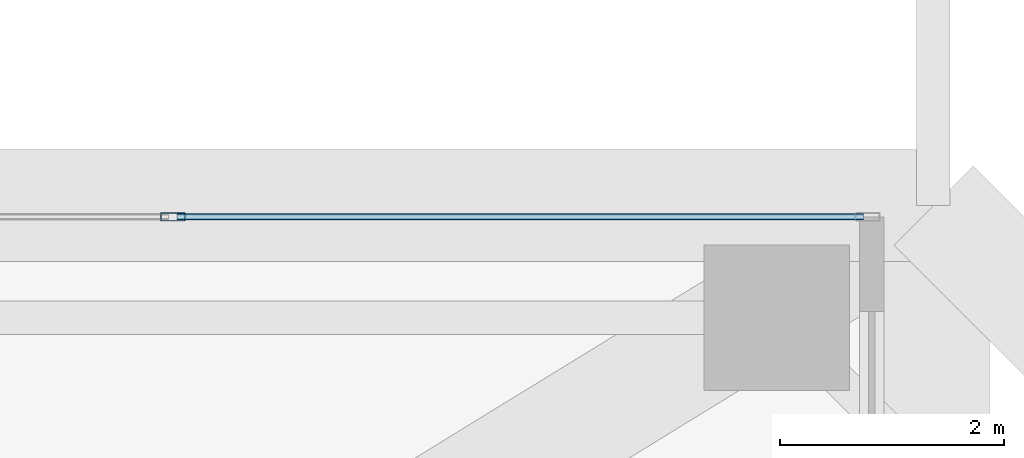
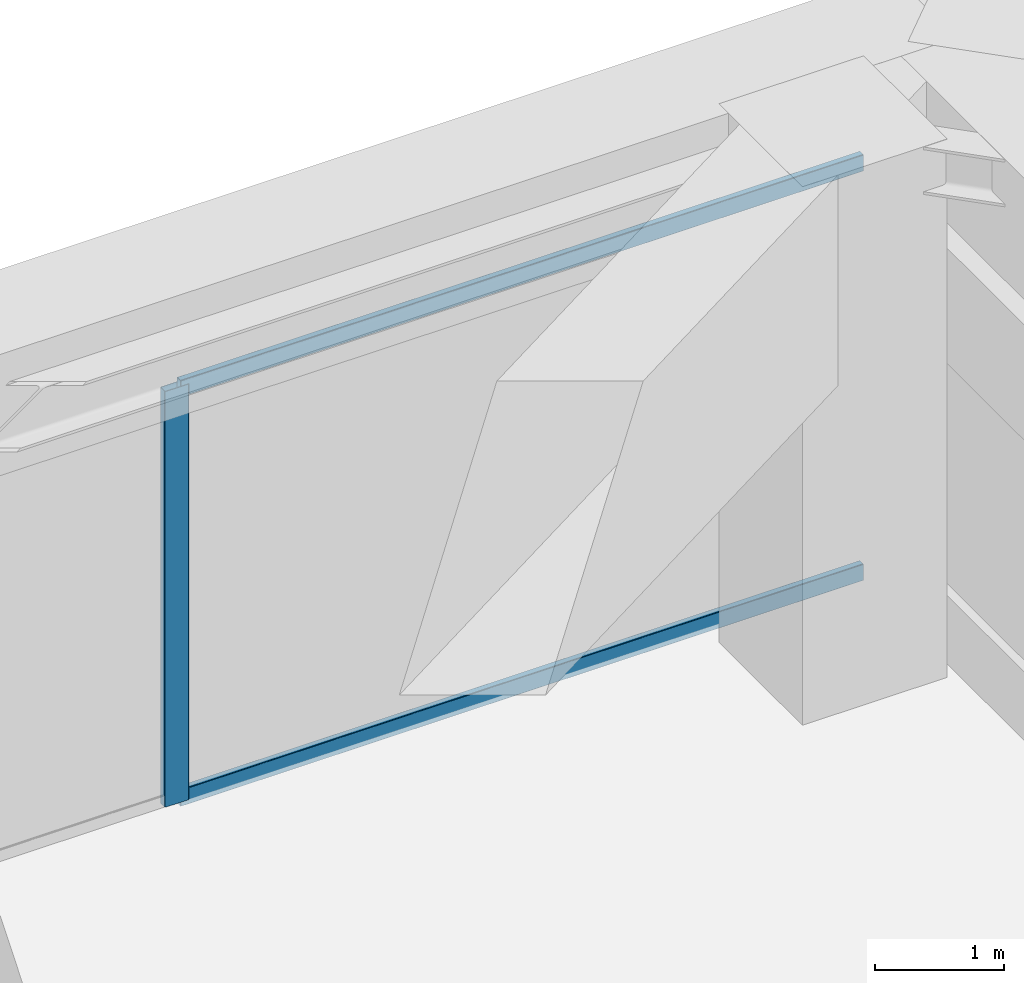
# One storey, part 26 of 38: 3 members, 1 element without a shape of its own.
"""IFC4 building model written with IfcOpenShell, lengths in metres."""

from ifc_helpers import new_model, si_unit, direction, frame, origin, origin_2d, place, context, subcontext, project, spatial, hollow_rectangle, extrude, source, transform, mapped, material, layer, layer_set, material_profile, profile_set, type_object, element, aggregate, save


model = new_model("IFC4")

# Units and contexts
model_context = context("Model", 3, precision=1e-05, world=origin(), true_north=direction((0.0, 1.0)))
body_context = subcontext(model_context, "Body", "Model", "MODEL_VIEW")
ifc_project = project(units=[si_unit("LENGTHUNIT", "METRE"), si_unit("AREAUNIT", "SQUARE_METRE"), si_unit("VOLUMEUNIT", "CUBIC_METRE"), si_unit("PLANEANGLEUNIT", "RADIAN"), si_unit("MASSUNIT", "GRAM", prefix="KILO")], contexts=[model_context])

# Site, building, storey
site_placement = place(None, origin())
site = spatial("IfcSite", under=ifc_project, at=site_placement, CompositionType="ELEMENT")
building_placement = place(site_placement, origin())
building = spatial("IfcBuilding", under=site, at=building_placement, Name="Serunith Strait Residences", CompositionType="ELEMENT")
storey_placement = place(building_placement, frame((0.0, 0.0, 204.89990234375)))
storey = spatial("IfcBuildingStorey", under=building, at=storey_placement, Name="L51", CompositionType="ELEMENT", Elevation=204.89990234375)

# Curtain wall, members
ifc_material = material(Name="Pale-Silver PVDF Aluminium", Category="aluminium")
ifc_layer = layer(ifc_material, 0.199951171875, Name="Pale-Silver PVDF Aluminium")
ifc_layer_set = layer_set([ifc_layer], Name="Pale-Silver PVDF Aluminium")
curtain_wall_type = type_object("IfcCurtainWallType", Name="CW-SYS3", PredefinedType="NOTDEFINED", material=ifc_layer_set)
curtain_wall_placement = place(storey_placement, origin())
curtain_wall = element("IfcCurtainWall", 1, at=curtain_wall_placement, inside=storey, type_object=curtain_wall_type, Name="L51 N Unitised Fritted Curtain Wall", PredefinedType="NOTDEFINED")
ifc_material_profile_1 = material_profile(ifc_material, hollow_rectangle(XDim=0.074951171875, YDim=0.219970703125, WallThickness=0.00390625, InnerFilletRadius=0.006103515625, OuterFilletRadius=0.010009765625, at=origin_2d()), Name="ALU 220x75x4")
ifc_profile_set_1 = profile_set([ifc_material_profile_1], Name="Pale-Silver PVDF Aluminium")
member_type_1 = type_object("IfcMemberType", Name="CW-SYS3-MULL", PredefinedType="MULLION", material=ifc_profile_set_1)
shared_shape_1 = source(origin(), body_context, "Body", "SweptSolid", [
    extrude(hollow_rectangle(XDim=0.074951171875, YDim=0.219970703125, WallThickness=0.00390625, InnerFilletRadius=0.006103515625, OuterFilletRadius=0.010009765625, at=origin_2d()), origin(), (0.0, 0.0, 1.0), 3.945068359375),
])
member_1_placement = place(storey_placement, frame((41.760009765625, 48.199951171875, 0.0), z_axis=(0.0, 0.0, 1.0), x_axis=(0.0, -1.0, 0.0)))
member_1 = element("IfcMember", 2, at=member_1_placement, type_object=member_type_1, Name="CW-3 mullion 2", PredefinedType="MULLION", context=body_context, shape_type="MappedRepresentation", body=[
    mapped(shared_shape_1, transform((0.0, 0.0, 0.0), scale=1.0)),
])
ifc_material_profile_2 = material_profile(ifc_material, hollow_rectangle(XDim=0.06005859375, YDim=0.159912109375, WallThickness=0.00341796875, InnerFilletRadius=0.00537109375, OuterFilletRadius=0.0087890625, at=origin_2d()), Name="ALU 160x60x3.5")
ifc_profile_set_2 = profile_set([ifc_material_profile_2], Name="Pale-Silver PVDF Aluminium")
member_type_2 = type_object("IfcMemberType", Name="CW-SYS3-TRAN", PredefinedType="USERDEFINED", material=ifc_profile_set_2)
shared_shape_2 = source(origin(), body_context, "Body", "SweptSolid", [
    extrude(hollow_rectangle(XDim=0.06005859375, YDim=0.159912109375, WallThickness=0.00341796875, InnerFilletRadius=0.00537109375, OuterFilletRadius=0.0087890625, at=origin_2d()), origin(), (0.0, 0.0, 1.0), 6.12744140625),
])
member_2_placement = place(storey_placement, frame((47.925048828125, 48.199951171875, 0.030029296875), z_axis=(-1.0, 0.0, 0.0), x_axis=(0.0, -1.0, 0.0)))
member_2 = element("IfcMember", 3, at=member_2_placement, type_object=member_type_2, Name="CW-3 transom 1.1", ObjectType="TRANSOM", PredefinedType="USERDEFINED", context=body_context, shape_type="MappedRepresentation", body=[
    mapped(shared_shape_2, transform((0.0, 0.0, 0.0), scale=1.0)),
])
member_3_placement = place(storey_placement, frame((47.925048828125, 48.199951171875, 3.9150390625), z_axis=(-1.0, 0.0, 0.0), x_axis=(0.0, -1.0, 0.0)))
member_3 = element("IfcMember", 4, at=member_3_placement, type_object=member_type_2, Name="CW-3 transom 1.2", ObjectType="TRANSOM", PredefinedType="USERDEFINED", context=body_context, shape_type="MappedRepresentation", body=[
    mapped(shared_shape_2, transform((0.0, 0.0, 0.0), scale=1.0)),
])
aggregate(curtain_wall, [member_1, member_2, member_3])

save(model, "model.ifc")
